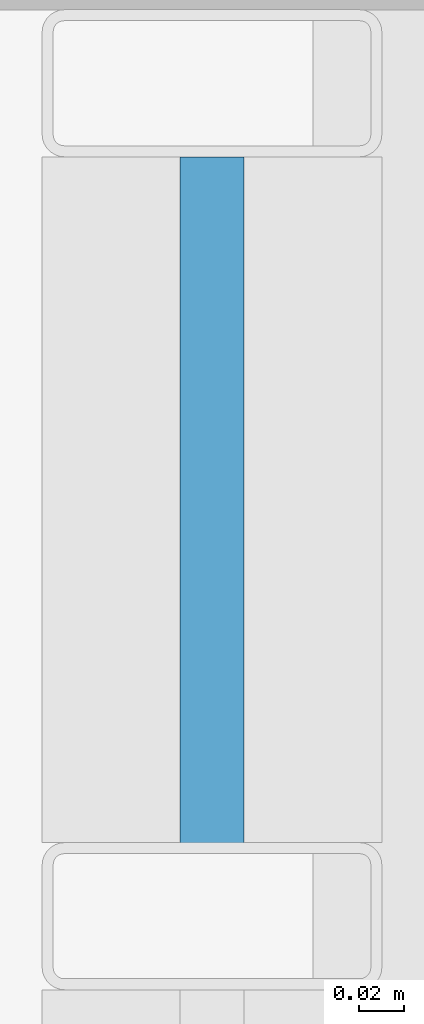
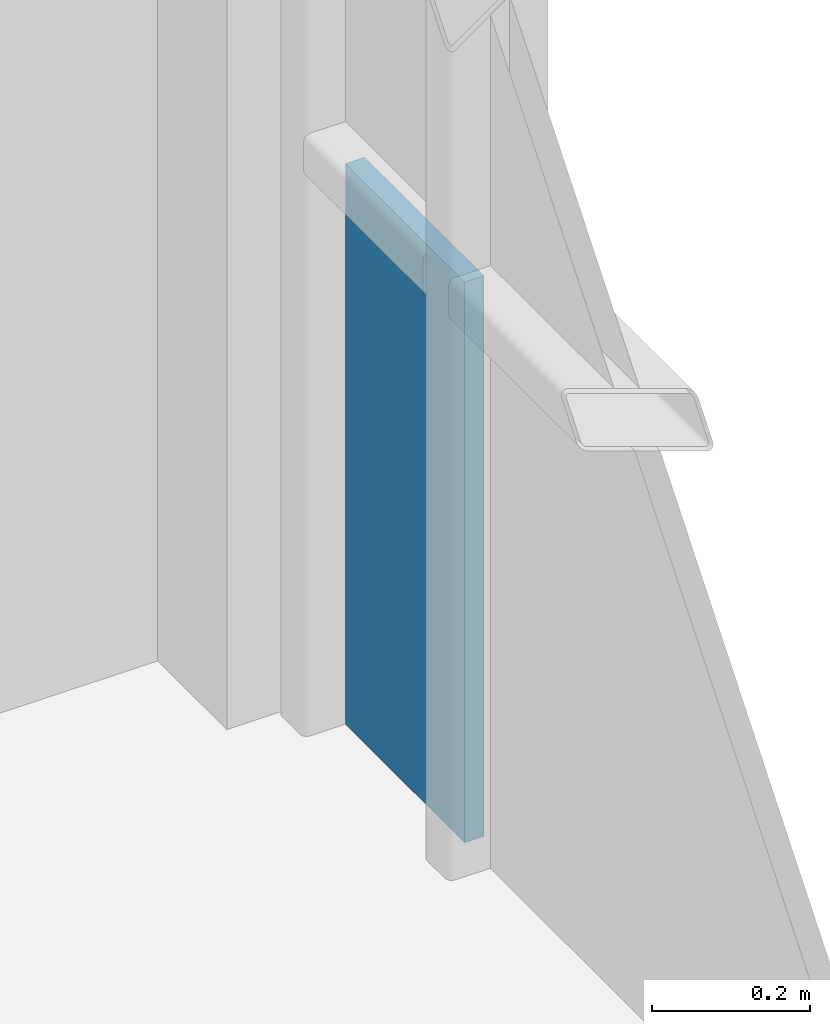
# One storey, part 30 of 41: 1 plate, 1 element without a shape of its own.
"""IFC4 building model written with IfcOpenShell, lengths in metres."""

from ifc_helpers import new_model, si_unit, direction, frame, origin, origin_2d, place, context, subcontext, project, spatial, rectangle, extrude, material, layer, layer_set, type_object, element, aggregate, save


model = new_model("IFC4")

# Units and contexts
model_context = context("Model", 3, precision=1e-05, world=origin(), true_north=direction((0.0, 1.0)))
body_context = subcontext(model_context, "Body", "Model", "MODEL_VIEW")
ifc_project = project(units=[si_unit("LENGTHUNIT", "METRE"), si_unit("AREAUNIT", "SQUARE_METRE"), si_unit("VOLUMEUNIT", "CUBIC_METRE"), si_unit("PLANEANGLEUNIT", "RADIAN"), si_unit("MASSUNIT", "GRAM", prefix="KILO")], contexts=[model_context])

# Site, building, storey
site_placement = place(None, origin())
site = spatial("IfcSite", under=ifc_project, at=site_placement, CompositionType="ELEMENT")
building_placement = place(site_placement, origin())
building = spatial("IfcBuilding", under=site, at=building_placement, Name="Brevholm Reach", CompositionType="ELEMENT")
storey_placement = place(building_placement, frame((0.0, 0.0, 93.10009765625)))
storey = spatial("IfcBuildingStorey", under=building, at=storey_placement, Name="L27", CompositionType="ELEMENT", Elevation=93.10009765625)

# Curtain wall, plate
ifc_material_1 = material(Name="Dark Anodised Aluminium 6063-T6 and Solar-Control Glass", Category="aluminium")
ifc_layer_1 = layer(ifc_material_1, 0.14990234375)
ifc_layer_set_1 = layer_set([ifc_layer_1], Name="Dark Anodised Aluminium 6063-T6 and Solar-Control Glass")
curtain_wall_type = type_object("IfcCurtainWallType", Name="CW-01", PredefinedType="NOTDEFINED", material=ifc_layer_set_1)
curtain_wall_placement = place(storey_placement, origin())
curtain_wall = element("IfcCurtainWall", 1, at=curtain_wall_placement, inside=storey, type_object=curtain_wall_type, Name="L27 Curtain Wall CW-01", PredefinedType="NOTDEFINED")
ifc_material_2 = material(Name="Dark Solar-Control Double-Glazed IGU Glass", Category="glass")
ifc_layer_2 = layer(ifc_material_2, 0.028076171875)
ifc_layer_set_2 = layer_set([ifc_layer_2], Name="Dark Solar-Control Double-Glazed IGU Glass")
plate_type = type_object("IfcPlateType", Name="CWP-GLZ-28", PredefinedType="CURTAIN_PANEL", material=ifc_layer_set_2)
plate_placement = place(storey_placement, frame((59.85009765625, 22.733642578125, 0.0), z_axis=(0.0, 0.0, 1.0), x_axis=(0.0, 1.0, 0.0)))
plate = element("IfcPlate", 2, at=plate_placement, type_object=plate_type, Name="CP-01 Glazing Panel 5.1", PredefinedType="CURTAIN_PANEL", context=body_context, shape_type="SweptSolid", body=[
    extrude(rectangle(XDim=0.302490234375, YDim=0.028076171875, at=origin_2d()), origin(), (0.0, 0.0, 1.0), 0.867431640625),
])
aggregate(curtain_wall, [plate])

save(model, "model.ifc")
